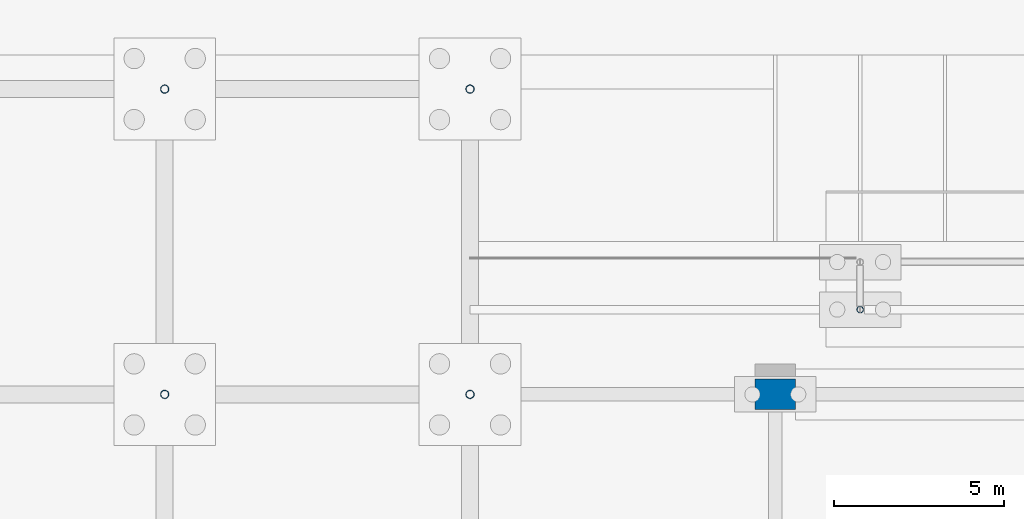
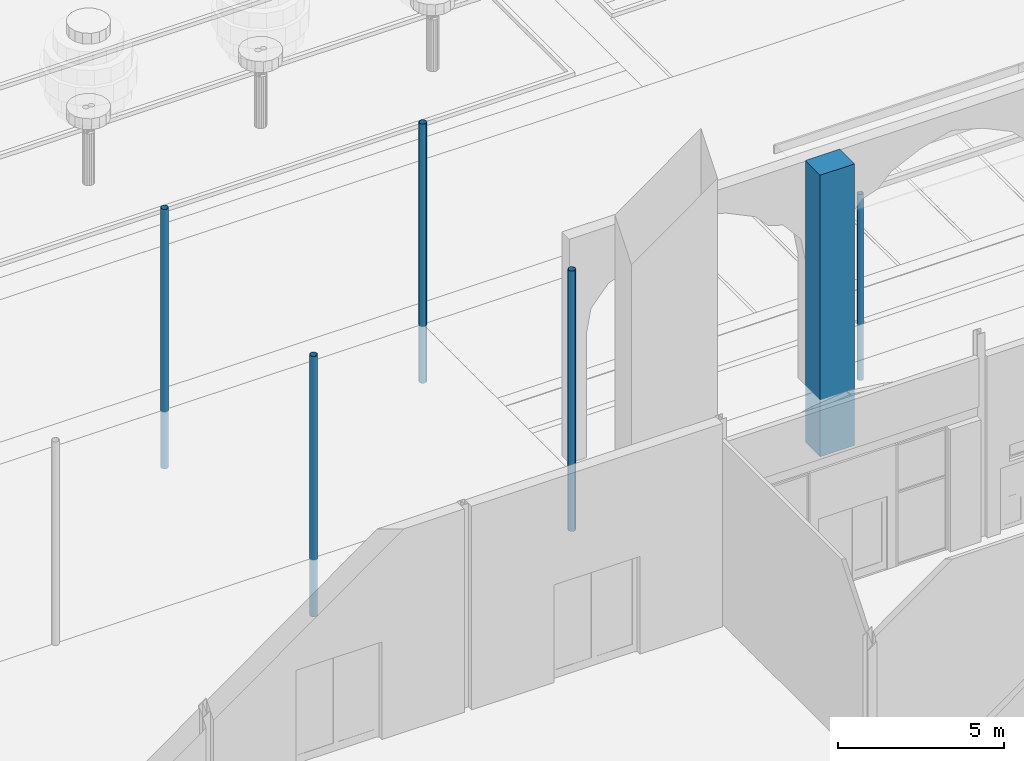
# One storey, part 27 of 250: 6 columns.
"""IFC4 building model written with IfcOpenShell, lengths in metres."""

from ifc_helpers import new_model, si_unit, direction, frame, origin, origin_2d, place, context, subcontext, project, spatial, rectangle, hollow_circle, extrude, material, material_profile, profile_set, type_object, element, save


model = new_model("IFC4")

# Units and contexts
model_context = context("Model", 3, precision=1e-05, world=origin(), true_north=direction((0.0, 1.0)))
body_context = subcontext(model_context, "Body", "Model", "MODEL_VIEW")
ifc_project = project(units=[si_unit("LENGTHUNIT", "METRE"), si_unit("AREAUNIT", "SQUARE_METRE"), si_unit("VOLUMEUNIT", "CUBIC_METRE"), si_unit("PLANEANGLEUNIT", "RADIAN"), si_unit("MASSUNIT", "GRAM", prefix="KILO")], contexts=[model_context])

# Site, building, storey
site_placement = place(None, origin())
site = spatial("IfcSite", under=ifc_project, at=site_placement, CompositionType="ELEMENT")
building_placement = place(site_placement, origin())
building = spatial("IfcBuilding", under=site, at=building_placement, Name="Baradari Gate Terminus", CompositionType="ELEMENT")
storey_placement = place(building_placement, origin())
storey = spatial("IfcBuildingStorey", under=building, at=storey_placement, Name="L00", CompositionType="ELEMENT", Elevation=0.0)

# Columns
ifc_material_1 = material(Name="Concrete C40/50", Category="concrete")
ifc_material_profile_1 = material_profile(ifc_material_1, rectangle(XDim=1.199951171875, YDim=0.89990234375, at=origin_2d()), Name="RC1200X900")
ifc_profile_set_1 = profile_set([ifc_material_profile_1], Name="Concrete C40/50")
column_type_1 = type_object("IfcColumnType", Name="Arcade pier AP01 RC1200X900", PredefinedType="COLUMN", material=ifc_profile_set_1)
column_1_placement = place(storey_placement, frame((180.0, 117.0, -2.10009765625), z_axis=(0.0, 0.0, 1.0), x_axis=(1.0, 0.0, 0.0)))
element("IfcColumn", 1, at=column_1_placement, inside=storey, type_object=column_type_1, Name="AP01 column 21-P L00", PredefinedType="COLUMN", context=body_context, shape_type="SweptSolid", body=[
    extrude(rectangle(XDim=1.199951171875, YDim=0.89990234375, at=origin_2d()), origin(), (0.0, 0.0, 1.0), 10.380126953125),
])
ifc_material_2 = material(Name="Steel S355", Category="steel")
ifc_material_profile_2 = material_profile(ifc_material_2, hollow_circle(Radius=0.122314453125, WallThickness=0.010009765625, at=origin_2d()), Name="CHS 244.5x10")
ifc_profile_set_2 = profile_set([ifc_material_profile_2], Name="Steel S355")
column_type_2 = type_object("IfcColumnType", Name="Canopy column CHS 244.5x10", PredefinedType="COLUMN", material=ifc_profile_set_2)
for number, where, z_axis, x_axis, name in (
    (2, (162.0, 117.0, -2.10009765625), (0.0, 0.0, 1.0), (1.0, 0.0, 0.0), "COL/L00/CC04"),
    (3, (171.0, 117.0, -2.10009765625), (0.0, 0.0, 1.0), (1.0, 0.0, 0.0), "COL/L00/CC05"),
):
    element("IfcColumn", number, at=place(storey_placement, frame(where, z_axis=z_axis, x_axis=x_axis)), inside=storey, type_object=column_type_2, Name=name, PredefinedType="COLUMN", context=body_context, shape_type="SweptSolid", body=[
        extrude(hollow_circle(Radius=0.122314453125, WallThickness=0.010009765625, at=origin_2d()), origin(), (0.0, 0.0, 1.0), 9.60009765625),
    ])
for number, where, z_axis, x_axis, name in (
    (4, (162.0, 126.0, -2.10009765625), (0.0, 0.0, 1.0), (1.0, 0.0, 0.0), "COL/L00/CC09"),
    (5, (171.0, 126.0, -2.10009765625), (0.0, 0.0, 1.0), (1.0, 0.0, 0.0), "COL/L00/CC10"),
):
    element("IfcColumn", number, at=place(storey_placement, frame(where, z_axis=z_axis, x_axis=x_axis)), inside=storey, type_object=column_type_2, Name=name, PredefinedType="COLUMN", context=body_context, shape_type="SweptSolid", body=[
        extrude(hollow_circle(Radius=0.122314453125, WallThickness=0.010009765625, at=origin_2d()), origin(), (0.0, 0.0, 1.0), 9.5595703125),
    ])
ifc_material_3 = material(Name="Steel S355", Category="steel")
ifc_material_profile_3 = material_profile(ifc_material_3, hollow_circle(Radius=0.096923828125, WallThickness=0.008056640625, at=origin_2d()), Name="CHS 193.7x8")
ifc_profile_set_3 = profile_set([ifc_material_profile_3], Name="Steel S355")
column_type_3 = type_object("IfcColumnType", Name="Shelter column CHS 193.7x8", PredefinedType="COLUMN", material=ifc_profile_set_3)
column_2_placement = place(storey_placement, frame((182.5, 119.5, -2.10009765625), z_axis=(0.0, 0.0, 1.0), x_axis=(1.0, 0.0, 0.0)))
element("IfcColumn", 6, at=column_2_placement, inside=storey, type_object=column_type_3, Name="Taxi shelter column 1", PredefinedType="COLUMN", context=body_context, shape_type="SweptSolid", body=[
    extrude(hollow_circle(Radius=0.096923828125, WallThickness=0.008056640625, at=origin_2d()), origin(), (0.0, 0.0, 1.0), 6.860107421875),
])

save(model, "model.ifc")
